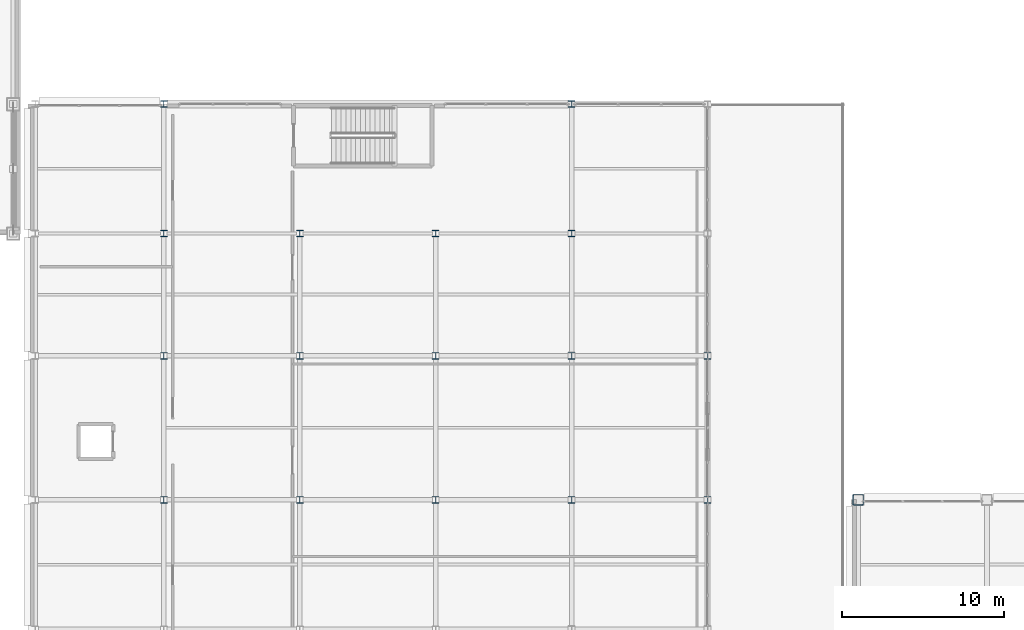
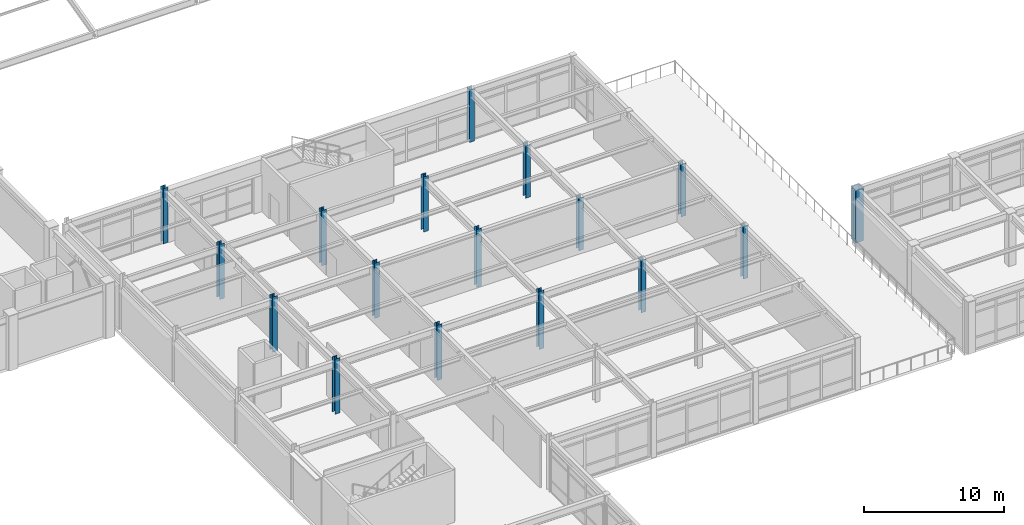
# One storey, part 6 of 93: 17 columns.
"""IFC4 building model written with IfcOpenShell, lengths in metres."""

from ifc_helpers import new_model, si_unit, direction, frame, origin, origin_2d, place, context, subcontext, project, spatial, hollow_rectangle, i_section, extrude, material, material_profile, profile_set, type_object, element, save


model = new_model("IFC4")

# Units and contexts
model_context = context("Model", 3, precision=1e-05, world=origin(), true_north=direction((0.0, 1.0)))
body_context = subcontext(model_context, "Body", "Model", "MODEL_VIEW")
ifc_project = project(units=[si_unit("LENGTHUNIT", "METRE"), si_unit("AREAUNIT", "SQUARE_METRE"), si_unit("VOLUMEUNIT", "CUBIC_METRE"), si_unit("PLANEANGLEUNIT", "RADIAN"), si_unit("MASSUNIT", "GRAM", prefix="KILO")], contexts=[model_context])

# Site, building, storey
site_placement = place(None, origin())
site = spatial("IfcSite", under=ifc_project, at=site_placement, CompositionType="ELEMENT")
building_placement = place(site_placement, origin())
building = spatial("IfcBuilding", under=site, at=building_placement, Name="Kazehara Bluff Congress Hotel", CompositionType="ELEMENT")
storey_placement = place(building_placement, frame((0.0, 0.0, 15.0)))
storey = spatial("IfcBuildingStorey", under=building, at=storey_placement, Name="L03", CompositionType="ELEMENT", Elevation=15.0)

# Columns
ifc_material_1 = material(Name="Steel BCR295", Category="steel")
ifc_material_profile_1 = material_profile(ifc_material_1, hollow_rectangle(XDim=0.64990234375, YDim=0.64990234375, WallThickness=0.02490234375, InnerFilletRadius=0.02490234375, OuterFilletRadius=0.050048828125, at=origin_2d()))
ifc_profile_set_1 = profile_set([ifc_material_profile_1], Name="Steel BCR295")
column_type_1 = type_object("IfcColumnType", Name="TP-C-04", PredefinedType="COLUMN", material=ifc_profile_set_1)
column_1_placement = place(storey_placement, frame((110.550048828125, 32.0, 0.0), z_axis=(0.0, 0.0, 1.0), x_axis=(1.0, 0.0, 0.0)))
element("IfcColumn", 1, at=column_1_placement, inside=storey, type_object=column_type_1, Name="L03 column C-04 (110.55,32.00)", PredefinedType="COLUMN", context=body_context, shape_type="SweptSolid", body=[
    extrude(hollow_rectangle(XDim=0.64990234375, YDim=0.64990234375, WallThickness=0.02490234375, InnerFilletRadius=0.02490234375, OuterFilletRadius=0.050048828125, at=origin_2d()), origin(), (0.0, 0.0, 1.0), 4.56005859375),
])
ifc_material_2 = material(Name="Steel SN490B", Category="steel")
ifc_material_profile_2 = material_profile(ifc_material_2, i_section(OverallWidth=0.39990234375, OverallDepth=0.39990234375, WebThickness=0.012939453125, FlangeThickness=0.02099609375, FilletRadius=0.02197265625, at=origin_2d()))
ifc_profile_set_2 = profile_set([ifc_material_profile_2], Name="Steel SN490B")
column_type_2 = type_object("IfcColumnType", Name="TP-C-09", PredefinedType="COLUMN", material=ifc_profile_set_2)
for number, where, z_axis, x_axis, name in (
    (2, (67.64990234375, 32.0, 0.0), (0.0, 0.0, 1.0), (1.0, 0.0, 0.0), "L03 column C-09 (67.65,32.00)"),
    (3, (67.64990234375, 40.89990234375, 0.0), (0.0, 0.0, 1.0), (1.0, 0.0, 0.0), "L03 column C-09 (67.65,40.90)"),
    (4, (67.64990234375, 48.449951171875, 0.0), (0.0, 0.0, 1.0), (1.0, 0.0, 0.0), "L03 column C-09 (67.65,48.45)"),
    (5, (67.64990234375, 56.449951171875, 0.0), (0.0, 0.0, 1.0), (1.0, 0.0, 0.0), "L03 column C-09 (67.65,56.45)"),
    (6, (76.050048828125, 32.0, 0.0), (0.0, 0.0, 1.0), (1.0, 0.0, 0.0), "L03 column C-09 (76.05,32.00)"),
    (7, (76.050048828125, 40.89990234375, 0.0), (0.0, 0.0, 1.0), (1.0, 0.0, 0.0), "L03 column C-09 (76.05,40.90)"),
    (8, (76.050048828125, 48.449951171875, 0.0), (0.0, 0.0, 1.0), (1.0, 0.0, 0.0), "L03 column C-09 (76.05,48.45)"),
):
    element("IfcColumn", number, at=place(storey_placement, frame(where, z_axis=z_axis, x_axis=x_axis)), inside=storey, type_object=column_type_2, Name=name, PredefinedType="COLUMN", context=body_context, shape_type="SweptSolid", body=[
        extrude(i_section(OverallWidth=0.39990234375, OverallDepth=0.39990234375, WebThickness=0.012939453125, FlangeThickness=0.02099609375, FilletRadius=0.02197265625, at=origin_2d()), origin(), (0.0, 0.0, 1.0), 4.800048828125),
    ])
for number, where, z_axis, x_axis, name in (
    (9, (84.449951171875, 32.0, -0.239990234375), (0.0, 0.0, 1.0), (1.0, 0.0, 0.0), "L03 column C-09 (84.45,32.00)"),
    (10, (84.449951171875, 40.89990234375, -0.239990234375), (0.0, 0.0, 1.0), (1.0, 0.0, 0.0), "L03 column C-09 (84.45,40.90)"),
):
    element("IfcColumn", number, at=place(storey_placement, frame(where, z_axis=z_axis, x_axis=x_axis)), inside=storey, type_object=column_type_2, Name=name, PredefinedType="COLUMN", context=body_context, shape_type="SweptSolid", body=[
        extrude(i_section(OverallWidth=0.39990234375, OverallDepth=0.39990234375, WebThickness=0.012939453125, FlangeThickness=0.02099609375, FilletRadius=0.02197265625, at=origin_2d()), origin(), (0.0, 0.0, 1.0), 5.0400390625),
    ])
column_2_placement = place(storey_placement, frame((84.449951171875, 48.449951171875, 0.0), z_axis=(0.0, 0.0, 1.0), x_axis=(1.0, 0.0, 0.0)))
element("IfcColumn", 11, at=column_2_placement, inside=storey, type_object=column_type_2, Name="L03 column C-09 (84.45,48.45)", PredefinedType="COLUMN", context=body_context, shape_type="SweptSolid", body=[
    extrude(i_section(OverallWidth=0.39990234375, OverallDepth=0.39990234375, WebThickness=0.012939453125, FlangeThickness=0.02099609375, FilletRadius=0.02197265625, at=origin_2d()), origin(), (0.0, 0.0, 1.0), 4.800048828125),
])
for number, where, z_axis, x_axis, name in (
    (12, (92.85009765625, 32.0, 0.0), (0.0, 0.0, 1.0), (1.0, 0.0, 0.0), "L03 column C-09 (92.85,32.00)"),
    (13, (92.85009765625, 40.89990234375, 0.0), (0.0, 0.0, 1.0), (1.0, 0.0, 0.0), "L03 column C-09 (92.85,40.90)"),
    (14, (92.85009765625, 48.449951171875, 0.0), (0.0, 0.0, 1.0), (1.0, 0.0, 0.0), "L03 column C-09 (92.85,48.45)"),
    (15, (92.85009765625, 56.449951171875, 0.0), (0.0, 0.0, 1.0), (1.0, 0.0, 0.0), "L03 column C-09 (92.85,56.45)"),
    (16, (101.25, 32.0, 0.0), (0.0, 0.0, 1.0), (1.0, 0.0, 0.0), "L03 column C-09 (101.25,32.00)"),
    (17, (101.25, 40.89990234375, 0.0), (0.0, 0.0, 1.0), (1.0, 0.0, 0.0), "L03 column C-09 (101.25,40.90)"),
):
    element("IfcColumn", number, at=place(storey_placement, frame(where, z_axis=z_axis, x_axis=x_axis)), inside=storey, type_object=column_type_2, Name=name, PredefinedType="COLUMN", context=body_context, shape_type="SweptSolid", body=[
        extrude(i_section(OverallWidth=0.39990234375, OverallDepth=0.39990234375, WebThickness=0.012939453125, FlangeThickness=0.02099609375, FilletRadius=0.02197265625, at=origin_2d()), origin(), (0.0, 0.0, 1.0), 4.56005859375),
    ])

save(model, "model.ifc")
